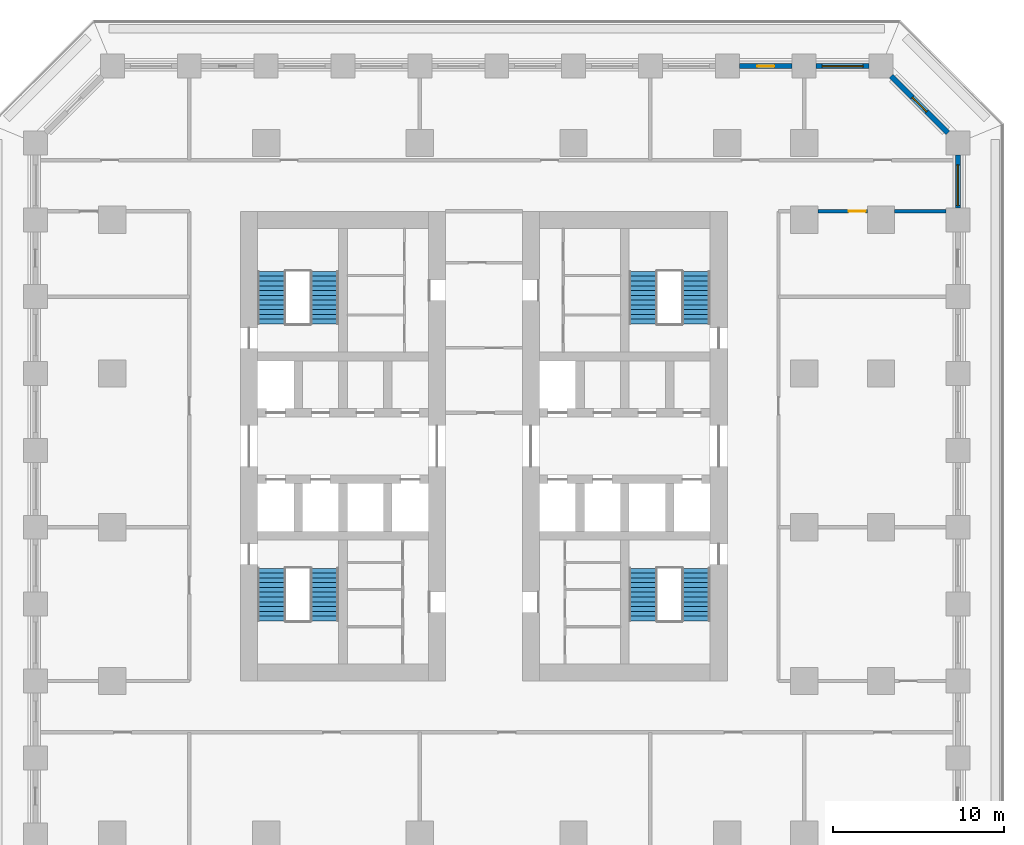
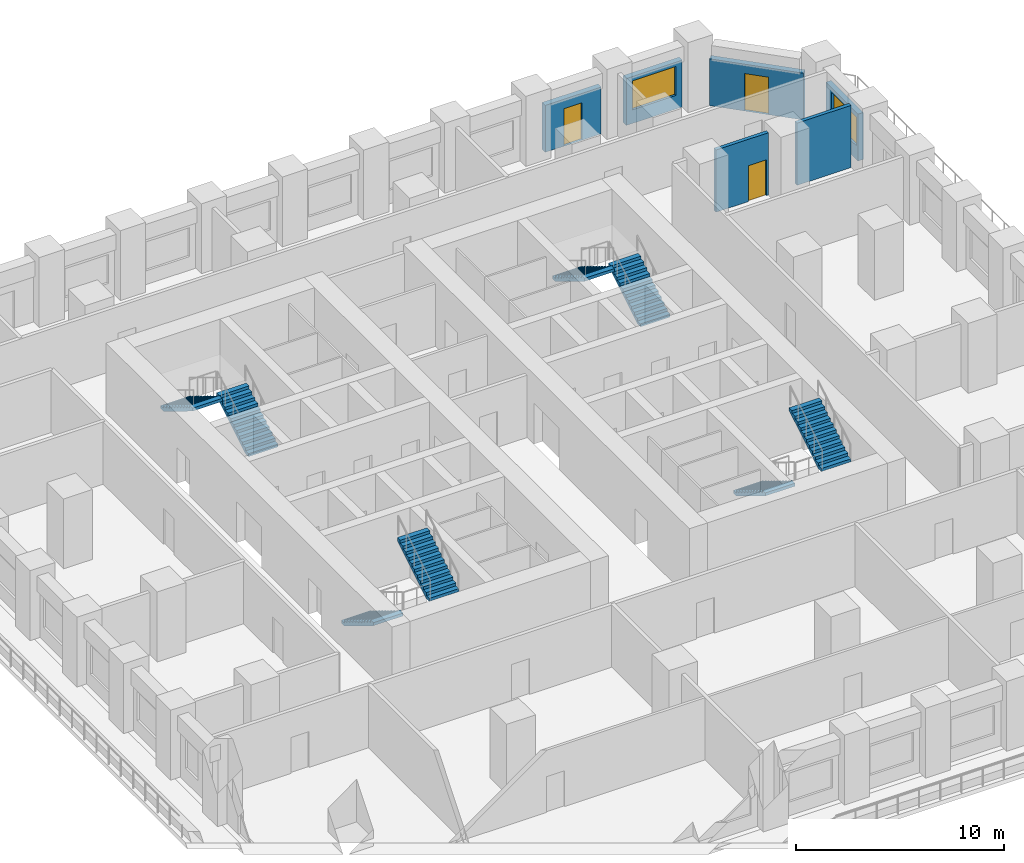
# One storey, part 8 of 11: 8 stair flights, 6 walls, 3 doors, 2 windows, 5 openings, 4 elements without a shape of their own.
"""IFC4 building model written with IfcOpenShell, lengths in metres."""

from ifc_helpers import new_model, si_unit, direction, frame, frame_2d, origin, place, context, subcontext, project, spatial, polyline, rectangle, outline, extrude, material, layer, layer_set, type_object, element, fill, aggregate, save


model = new_model("IFC4")

# Units and contexts
model_context = context("Model", 3, precision=1e-05, world=origin(), true_north=direction((0.0, 1.0)))
body_context = subcontext(model_context, "Body", "Model", "MODEL_VIEW")
ifc_project = project(units=[si_unit("LENGTHUNIT", "METRE"), si_unit("AREAUNIT", "SQUARE_METRE"), si_unit("VOLUMEUNIT", "CUBIC_METRE"), si_unit("PLANEANGLEUNIT", "RADIAN"), si_unit("MASSUNIT", "GRAM", prefix="KILO")], contexts=[model_context])

# Site, building, storey
site_placement = place(None, origin())
site = spatial("IfcSite", under=ifc_project, at=site_placement, CompositionType="ELEMENT")
building_placement = place(site_placement, origin())
building = spatial("IfcBuilding", under=site, at=building_placement, Name="Corbel Stack Research Tower", CompositionType="ELEMENT")
storey_placement = place(building_placement, frame((0.0, 0.0, 46.0)))
storey = spatial("IfcBuildingStorey", under=building, at=storey_placement, Name="L10", CompositionType="ELEMENT", Elevation=46.0)

# Wall, opening, door
ifc_material_1 = material(Name="Fire-rated gypsum board partition on steel studs", Category="steel")
ifc_layer_1 = layer(ifc_material_1, 0.199951171875)
ifc_layer_set_1 = layer_set([ifc_layer_1], Name="Fire-rated gypsum board partition on steel studs")
wall_type_1 = type_object("IfcWallType", Name="Fire-rated partition 200 EI 60", PredefinedType="PARTITIONING", material=ifc_layer_set_1)
wall_1_placement = place(storey_placement, frame((26.199951171875, 18.5, 0.0), z_axis=(0.0, 0.0, 1.0), x_axis=(-1.0, 0.0, 0.0)))
wall_1 = element("IfcWall", 1, at=wall_1_placement, inside=storey, type_object=wall_type_1, Name="Partition L10-034", PredefinedType="PARTITIONING", context=body_context, shape_type="SweptSolid", body=[
    extrude(rectangle(XDim=2.89990234375, YDim=0.199951171875, at=frame_2d((1.449951171875, 0.0))), origin(), (0.0, 0.0, 1.0), 3.64990234375),
])
opening_1_placement = place(wall_1_placement, frame((0.10009765625, 0.0, 0.0)))
opening_1 = element("IfcOpeningElement", 2, at=opening_1_placement, cuts=wall_1, Name="Opening B2V1-018", PredefinedType="OPENING", context=body_context, shape_type="SweptSolid", body=[
    extrude(rectangle(XDim=1.0, YDim=2.10009765625, at=frame_2d((0.5, 1.050048828125))), frame((0.0, 0.10986328125, 0.0), z_axis=(0.0, -1.0, 0.0), x_axis=(1.0, 0.0, 0.0)), (0.0, 0.0, 1.0), 0.219970703125),
])
ifc_material_2 = material(Name="Painted steel fire door", Category="steel")
door_type_1 = type_object("IfcDoorType", Name="Fire door FD30S 1000 x 2100", OperationType="NOTDEFINED", PredefinedType="DOOR", material=ifc_material_2)
door_1_placement = place(opening_1_placement, origin())
door_1 = element("IfcDoor", 3, at=door_1_placement, inside=storey, type_object=door_type_1, Name="Door B2V1-018", OperationType="SINGLE_SWING_LEFT", OverallHeight=2.10009765625, OverallWidth=1.0, PredefinedType="DOOR", context=body_context, shape_type="SweptSolid", body=[
    extrude(rectangle(XDim=1.0, YDim=2.10009765625, at=frame_2d((0.5, 1.050048828125))), frame((0.0, 0.02490234375, 0.0), z_axis=(0.0, -1.0, 0.0), x_axis=(1.0, 0.0, 0.0)), (0.0, 0.0, 1.0), 0.050048828125),
])
fill(opening_1, door_1)

# Wall
wall_2_placement = place(storey_placement, frame((27.800048828125, 18.5, 0.0), z_axis=(0.0, 0.0, 1.0), x_axis=(1.0, 0.0, 0.0)))
element("IfcWall", 4, at=wall_2_placement, inside=storey, type_object=wall_type_1, Name="Partition L10-035", PredefinedType="PARTITIONING", context=body_context, shape_type="SweptSolid", body=[
    extrude(rectangle(XDim=3.0, YDim=0.199951171875, at=frame_2d((1.5, 0.0))), origin(), (0.0, 0.0, 1.0), 3.64990234375),
])

# Wall, opening, window
ifc_material_3 = material(Name="Concrete C45/55", Category="concrete")
ifc_layer_2 = layer(ifc_material_3, 0.300048828125)
ifc_layer_set_2 = layer_set([ifc_layer_2], Name="Concrete C45/55")
wall_type_2 = type_object("IfcWallType", Name="Terracotta-faced concrete wall 300", PredefinedType="SOLIDWALL", material=ifc_layer_set_2)
wall_3_placement = place(storey_placement, frame((31.5, 21.800048828125, 0.0), z_axis=(0.0, 0.0, 1.0), x_axis=(0.0, -1.0, 0.0)))
wall_3 = element("IfcWall", 5, at=wall_3_placement, inside=storey, type_object=wall_type_2, Name="Facade wall L10 E10", PredefinedType="SOLIDWALL", context=body_context, shape_type="SweptSolid", body=[
    extrude(rectangle(XDim=3.10009765625, YDim=0.300048828125, at=frame_2d((1.550048828125, 0.0))), origin(), (0.0, 0.0, 1.0), 2.75),
])
opening_2_placement = place(wall_3_placement, frame((0.574951171875, 0.0, 0.800048828125)))
opening_2 = element("IfcOpeningElement", 6, at=opening_2_placement, cuts=wall_3, Name="Opening W1", PredefinedType="OPENING", context=body_context, shape_type="SweptSolid", body=[
    extrude(rectangle(XDim=2.39990234375, YDim=1.699951171875, at=frame_2d((1.199951171875, 0.85009765625))), frame((0.0, 0.159912109375, 0.0), z_axis=(0.0, -1.0, 0.0), x_axis=(1.0, 0.0, 0.0)), (0.0, 0.0, 1.0), 0.320068359375),
])
ifc_material_4 = material(Name="Aluminium frame, clear double glazing", Category="aluminium")
window_type = type_object("IfcWindowType", Name="Window W1 2400 x 1700", PartitioningType="SINGLE_PANEL", PredefinedType="WINDOW", material=ifc_material_4)
window_1_placement = place(opening_2_placement, origin())
window_1 = element("IfcWindow", 7, at=window_1_placement, inside=storey, type_object=window_type, Name="Window W1 L10 E10", OverallHeight=1.699951171875, OverallWidth=2.39990234375, PartitioningType="SINGLE_PANEL", PredefinedType="WINDOW", context=body_context, shape_type="SweptSolid", body=[
    extrude(rectangle(XDim=2.39990234375, YDim=1.699951171875, at=frame_2d((1.199951171875, 0.85009765625))), frame((0.0, 0.030029296875, 0.0), z_axis=(0.0, -1.0, 0.0), x_axis=(1.0, 0.0, 0.0)), (0.0, 0.0, 1.0), 0.06005859375),
])
fill(opening_2, window_1)

# Wall, opening, door
wall_4_placement = place(storey_placement, frame((27.593994140625, 26.406005859375, 0.0), z_axis=(0.0, 0.0, 1.0), x_axis=(0.707106781187, -0.707106781187, 0.0)))
wall_4 = element("IfcWall", 8, at=wall_4_placement, inside=storey, type_object=wall_type_2, Name="Facade wall L10 NE01", PredefinedType="SOLIDWALL", context=body_context, shape_type="SweptSolid", body=[
    extrude(rectangle(XDim=4.683837890625, YDim=0.300048828125, at=frame_2d((2.341796875, 0.0))), origin(), (0.0, 0.0, 1.0), 2.75),
])
opening_3_placement = place(wall_4_placement, frame((1.741943359375, 0.0, 0.0)))
opening_3 = element("IfcOpeningElement", 9, at=opening_3_placement, cuts=wall_4, Name="Opening L10-B06", PredefinedType="OPENING", context=body_context, shape_type="SweptSolid", body=[
    extrude(rectangle(XDim=1.199951171875, YDim=2.199951171875, at=frame_2d((0.60009765625, 1.10009765625))), frame((0.0, 0.159912109375, 0.0), z_axis=(0.0, -1.0, 0.0), x_axis=(1.0, 0.0, 0.0)), (0.0, 0.0, 1.0), 0.320068359375),
])
ifc_material_5 = material(Name="Aluminium frame, clear double glazing", Category="aluminium")
door_type_2 = type_object("IfcDoorType", Name="Balcony door BD2 1200 x 2200", OperationType="NOTDEFINED", PredefinedType="DOOR", material=ifc_material_5)
door_2_placement = place(opening_3_placement, origin())
door_2 = element("IfcDoor", 10, at=door_2_placement, inside=storey, type_object=door_type_2, Name="Balcony door L10-B06", OperationType="SINGLE_SWING_LEFT", OverallHeight=2.199951171875, OverallWidth=1.199951171875, PredefinedType="DOOR", context=body_context, shape_type="SweptSolid", body=[
    extrude(rectangle(XDim=1.199951171875, YDim=2.199951171875, at=frame_2d((0.60009765625, 1.10009765625))), frame((0.0, 0.02490234375, 0.0), z_axis=(0.0, -1.0, 0.0), x_axis=(1.0, 0.0, 0.0)), (0.0, 0.0, 1.0), 0.050048828125),
])
fill(opening_3, door_2)

# Wall, opening, window
wall_5_placement = place(storey_placement, frame((23.199951171875, 27.0, 0.0), z_axis=(0.0, 0.0, 1.0), x_axis=(1.0, 0.0, 0.0)))
wall_5 = element("IfcWall", 11, at=wall_5_placement, inside=storey, type_object=wall_type_2, Name="Facade wall L10 N01", PredefinedType="SOLIDWALL", context=body_context, shape_type="SweptSolid", body=[
    extrude(rectangle(XDim=3.10009765625, YDim=0.300048828125, at=frame_2d((1.550048828125, 0.0))), origin(), (0.0, 0.0, 1.0), 2.75),
])
opening_4_placement = place(wall_5_placement, frame((0.35009765625, 0.0, 0.800048828125)))
opening_4 = element("IfcOpeningElement", 12, at=opening_4_placement, cuts=wall_5, Name="Opening W1", PredefinedType="OPENING", context=body_context, shape_type="SweptSolid", body=[
    extrude(rectangle(XDim=2.39990234375, YDim=1.699951171875, at=frame_2d((1.199951171875, 0.85009765625))), frame((0.0, 0.159912109375, 0.0), z_axis=(0.0, -1.0, 0.0), x_axis=(1.0, 0.0, 0.0)), (0.0, 0.0, 1.0), 0.320068359375),
])
window_2_placement = place(opening_4_placement, origin())
window_2 = element("IfcWindow", 13, at=window_2_placement, inside=storey, type_object=window_type, Name="Window W1 L10 N01", OverallHeight=1.699951171875, OverallWidth=2.39990234375, PartitioningType="SINGLE_PANEL", PredefinedType="WINDOW", context=body_context, shape_type="SweptSolid", body=[
    extrude(rectangle(XDim=2.39990234375, YDim=1.699951171875, at=frame_2d((1.199951171875, 0.85009765625))), frame((0.0, 0.030029296875, 0.0), z_axis=(0.0, -1.0, 0.0), x_axis=(1.0, 0.0, 0.0)), (0.0, 0.0, 1.0), 0.06005859375),
])
fill(opening_4, window_2)

# Wall, opening, door
wall_6_placement = place(storey_placement, frame((18.699951171875, 27.0, 0.0), z_axis=(0.0, 0.0, 1.0), x_axis=(1.0, 0.0, 0.0)))
wall_6 = element("IfcWall", 14, at=wall_6_placement, inside=storey, type_object=wall_type_2, Name="Facade wall L10 N02", PredefinedType="SOLIDWALL", context=body_context, shape_type="SweptSolid", body=[
    extrude(rectangle(XDim=3.10009765625, YDim=0.300048828125, at=frame_2d((1.550048828125, 0.0))), origin(), (0.0, 0.0, 1.0), 2.75),
])
opening_5_placement = place(wall_6_placement, frame((1.050048828125, 0.0, 0.0)))
opening_5 = element("IfcOpeningElement", 15, at=opening_5_placement, cuts=wall_6, Name="Opening L10-B07", PredefinedType="OPENING", context=body_context, shape_type="SweptSolid", body=[
    extrude(rectangle(XDim=1.0, YDim=2.199951171875, at=frame_2d((0.5, 1.10009765625))), frame((0.0, 0.159912109375, 0.0), z_axis=(0.0, -1.0, 0.0), x_axis=(1.0, 0.0, 0.0)), (0.0, 0.0, 1.0), 0.320068359375),
])
ifc_material_6 = material(Name="Aluminium frame, clear double glazing", Category="aluminium")
door_type_3 = type_object("IfcDoorType", Name="Balcony door BD1 1000 x 2200", OperationType="NOTDEFINED", PredefinedType="DOOR", material=ifc_material_6)
door_3_placement = place(opening_5_placement, origin())
door_3 = element("IfcDoor", 16, at=door_3_placement, inside=storey, type_object=door_type_3, Name="Balcony door L10-B07", OperationType="SINGLE_SWING_RIGHT", OverallHeight=2.199951171875, OverallWidth=1.0, PredefinedType="DOOR", context=body_context, shape_type="SweptSolid", body=[
    extrude(rectangle(XDim=1.0, YDim=2.199951171875, at=frame_2d((0.5, 1.10009765625))), frame((0.0, 0.02490234375, 0.0), z_axis=(0.0, -1.0, 0.0), x_axis=(1.0, 0.0, 0.0)), (0.0, 0.0, 1.0), 0.050048828125),
])
fill(opening_5, door_3)

# Stair, stair flights
ifc_material_7 = material(Name="Concrete C40/50", Category="concrete")
stair_type = type_object("IfcStairType", Name="Exit stair 24 risers", PredefinedType="HALF_TURN_STAIR", material=ifc_material_7)
stair_1_placement = place(storey_placement, origin())
stair_1 = element("IfcStair", 17, at=stair_1_placement, inside=storey, type_object=stair_type, Name="L10 Exit stair ST-W1", PredefinedType="HALF_TURN_STAIR")
ifc_material_8 = material(Name="Concrete C40/50", Category="concrete")
stair_flight_type = type_object("IfcStairFlightType", Name="Stair flight 12 risers", PredefinedType="STRAIGHT", material=ifc_material_8)
stair_flight_1_placement = place(storey_placement, frame((-8.675048828125, -2.39990234375, 0.0), z_axis=(0.0, 0.0, 1.0), x_axis=(0.0, -1.0, 0.0)))
stair_flight_1 = element("IfcStairFlight", 18, at=stair_flight_1_placement, type_object=stair_flight_type, Name="ST-W1 flight 1", NumberOfRisers=12, NumberOfTreads=11, PredefinedType="STRAIGHT", RiserHeight=0.170833333, TreadLength=0.28, context=body_context, shape_type="SweptSolid", body=[
    extrude(outline(polyline([(0.0, 0.0), (0.0, 0.1708984375), (0.280029296875, 0.1708984375), (0.280029296875, 0.341552734375), (0.56005859375, 0.341552734375), (0.56005859375, 0.512451171875), (0.840087890625, 0.512451171875), (0.840087890625, 0.683349609375), (1.1201171875, 0.683349609375), (1.1201171875, 0.854248046875), (1.39990234375, 0.854248046875), (1.39990234375, 1.02490234375), (1.679931640625, 1.02490234375), (1.679931640625, 1.19580078125), (1.9599609375, 1.19580078125), (1.9599609375, 1.36669921875), (2.239990234375, 1.36669921875), (2.239990234375, 1.53759765625), (2.52001953125, 1.53759765625), (2.52001953125, 1.708251953125), (2.800048828125, 1.708251953125), (2.800048828125, 1.879150390625), (3.080078125, 1.879150390625), (3.080078125, 2.050048828125), (3.080078125, 1.70361328125), (0.287841796875, 0.0), (0.0, 0.0)])), frame((0.0, 0.824951171875, 0.0), z_axis=(0.0, -1.0, 0.0), x_axis=(1.0, 0.0, 0.0)), (0.0, 0.0, 1.0), 1.64990234375),
])
stair_flight_2_placement = place(storey_placement, frame((-5.574951171875, -5.47998046875, 2.050048828125), z_axis=(0.0, 0.0, 1.0), x_axis=(0.0, 1.0, 0.0)))
stair_flight_2 = element("IfcStairFlight", 19, at=stair_flight_2_placement, type_object=stair_flight_type, Name="ST-W1 flight 2", NumberOfRisers=12, NumberOfTreads=11, PredefinedType="STRAIGHT", RiserHeight=0.170833333, TreadLength=0.28, context=body_context, shape_type="SweptSolid", body=[
    extrude(outline(polyline([(0.0, 0.0), (0.0, 0.1708984375), (0.280029296875, 0.1708984375), (0.280029296875, 0.341552734375), (0.56005859375, 0.341552734375), (0.56005859375, 0.512451171875), (0.840087890625, 0.512451171875), (0.840087890625, 0.683349609375), (1.1201171875, 0.683349609375), (1.1201171875, 0.854248046875), (1.39990234375, 0.854248046875), (1.39990234375, 1.02490234375), (1.679931640625, 1.02490234375), (1.679931640625, 1.19580078125), (1.9599609375, 1.19580078125), (1.9599609375, 1.36669921875), (2.239990234375, 1.36669921875), (2.239990234375, 1.53759765625), (2.52001953125, 1.53759765625), (2.52001953125, 1.708251953125), (2.800048828125, 1.708251953125), (2.800048828125, 1.879150390625), (3.080078125, 1.879150390625), (3.080078125, 2.050048828125), (3.080078125, 1.70361328125), (0.287841796875, 0.0), (0.0, 0.0)])), frame((0.0, 0.824951171875, 0.0), z_axis=(0.0, -1.0, 0.0), x_axis=(1.0, 0.0, 0.0)), (0.0, 0.0, 1.0), 1.64990234375),
])
aggregate(stair_1, [stair_flight_1, stair_flight_2])

stair_2_placement = place(storey_placement, origin())
stair_2 = element("IfcStair", 20, at=stair_2_placement, inside=storey, type_object=stair_type, Name="L10 Exit stair ST-W2", PredefinedType="HALF_TURN_STAIR")
stair_flight_3_placement = place(storey_placement, frame((-5.574951171875, 11.89990234375, 0.0), z_axis=(0.0, 0.0, 1.0), x_axis=(0.0, 1.0, 0.0)))
stair_flight_3 = element("IfcStairFlight", 21, at=stair_flight_3_placement, type_object=stair_flight_type, Name="ST-W2 flight 1", NumberOfRisers=12, NumberOfTreads=11, PredefinedType="STRAIGHT", RiserHeight=0.170833333, TreadLength=0.28, context=body_context, shape_type="SweptSolid", body=[
    extrude(outline(polyline([(0.0, 0.0), (0.0, 0.1708984375), (0.280029296875, 0.1708984375), (0.280029296875, 0.341552734375), (0.56005859375, 0.341552734375), (0.56005859375, 0.512451171875), (0.840087890625, 0.512451171875), (0.840087890625, 0.683349609375), (1.1201171875, 0.683349609375), (1.1201171875, 0.854248046875), (1.39990234375, 0.854248046875), (1.39990234375, 1.02490234375), (1.679931640625, 1.02490234375), (1.679931640625, 1.19580078125), (1.9599609375, 1.19580078125), (1.9599609375, 1.36669921875), (2.239990234375, 1.36669921875), (2.239990234375, 1.53759765625), (2.52001953125, 1.53759765625), (2.52001953125, 1.708251953125), (2.800048828125, 1.708251953125), (2.800048828125, 1.879150390625), (3.080078125, 1.879150390625), (3.080078125, 2.050048828125), (3.080078125, 1.70361328125), (0.287841796875, 0.0), (0.0, 0.0)])), frame((0.0, 0.824951171875, 0.0), z_axis=(0.0, -1.0, 0.0), x_axis=(1.0, 0.0, 0.0)), (0.0, 0.0, 1.0), 1.64990234375),
])
stair_flight_4_placement = place(storey_placement, frame((-8.675048828125, 14.97998046875, 2.050048828125), z_axis=(0.0, 0.0, 1.0), x_axis=(0.0, -1.0, 0.0)))
stair_flight_4 = element("IfcStairFlight", 22, at=stair_flight_4_placement, type_object=stair_flight_type, Name="ST-W2 flight 2", NumberOfRisers=12, NumberOfTreads=11, PredefinedType="STRAIGHT", RiserHeight=0.170833333, TreadLength=0.28, context=body_context, shape_type="SweptSolid", body=[
    extrude(outline(polyline([(0.0, 0.0), (0.0, 0.1708984375), (0.280029296875, 0.1708984375), (0.280029296875, 0.341552734375), (0.56005859375, 0.341552734375), (0.56005859375, 0.512451171875), (0.840087890625, 0.512451171875), (0.840087890625, 0.683349609375), (1.1201171875, 0.683349609375), (1.1201171875, 0.854248046875), (1.39990234375, 0.854248046875), (1.39990234375, 1.02490234375), (1.679931640625, 1.02490234375), (1.679931640625, 1.19580078125), (1.9599609375, 1.19580078125), (1.9599609375, 1.36669921875), (2.239990234375, 1.36669921875), (2.239990234375, 1.53759765625), (2.52001953125, 1.53759765625), (2.52001953125, 1.708251953125), (2.800048828125, 1.708251953125), (2.800048828125, 1.879150390625), (3.080078125, 1.879150390625), (3.080078125, 2.050048828125), (3.080078125, 1.70361328125), (0.287841796875, 0.0), (0.0, 0.0)])), frame((0.0, 0.824951171875, 0.0), z_axis=(0.0, -1.0, 0.0), x_axis=(1.0, 0.0, 0.0)), (0.0, 0.0, 1.0), 1.64990234375),
])
aggregate(stair_2, [stair_flight_3, stair_flight_4])

stair_3_placement = place(storey_placement, origin())
stair_3 = element("IfcStair", 23, at=stair_3_placement, inside=storey, type_object=stair_type, Name="L10 Exit stair ST-E1", PredefinedType="HALF_TURN_STAIR")
stair_flight_5_placement = place(storey_placement, frame((13.074951171875, -2.39990234375, 0.0), z_axis=(0.0, 0.0, 1.0), x_axis=(0.0, -1.0, 0.0)))
stair_flight_5 = element("IfcStairFlight", 24, at=stair_flight_5_placement, type_object=stair_flight_type, Name="ST-E1 flight 1", NumberOfRisers=12, NumberOfTreads=11, PredefinedType="STRAIGHT", RiserHeight=0.170833333, TreadLength=0.28, context=body_context, shape_type="SweptSolid", body=[
    extrude(outline(polyline([(0.0, 0.0), (0.0, 0.1708984375), (0.280029296875, 0.1708984375), (0.280029296875, 0.341552734375), (0.56005859375, 0.341552734375), (0.56005859375, 0.512451171875), (0.840087890625, 0.512451171875), (0.840087890625, 0.683349609375), (1.1201171875, 0.683349609375), (1.1201171875, 0.854248046875), (1.39990234375, 0.854248046875), (1.39990234375, 1.02490234375), (1.679931640625, 1.02490234375), (1.679931640625, 1.19580078125), (1.9599609375, 1.19580078125), (1.9599609375, 1.36669921875), (2.239990234375, 1.36669921875), (2.239990234375, 1.53759765625), (2.52001953125, 1.53759765625), (2.52001953125, 1.708251953125), (2.800048828125, 1.708251953125), (2.800048828125, 1.879150390625), (3.080078125, 1.879150390625), (3.080078125, 2.050048828125), (3.080078125, 1.70361328125), (0.287841796875, 0.0), (0.0, 0.0)])), frame((0.0, 0.824951171875, 0.0), z_axis=(0.0, -1.0, 0.0), x_axis=(1.0, 0.0, 0.0)), (0.0, 0.0, 1.0), 1.64990234375),
])
stair_flight_6_placement = place(storey_placement, frame((16.175048828125, -5.47998046875, 2.050048828125), z_axis=(0.0, 0.0, 1.0), x_axis=(0.0, 1.0, 0.0)))
stair_flight_6 = element("IfcStairFlight", 25, at=stair_flight_6_placement, type_object=stair_flight_type, Name="ST-E1 flight 2", NumberOfRisers=12, NumberOfTreads=11, PredefinedType="STRAIGHT", RiserHeight=0.170833333, TreadLength=0.28, context=body_context, shape_type="SweptSolid", body=[
    extrude(outline(polyline([(0.0, 0.0), (0.0, 0.1708984375), (0.280029296875, 0.1708984375), (0.280029296875, 0.341552734375), (0.56005859375, 0.341552734375), (0.56005859375, 0.512451171875), (0.840087890625, 0.512451171875), (0.840087890625, 0.683349609375), (1.1201171875, 0.683349609375), (1.1201171875, 0.854248046875), (1.39990234375, 0.854248046875), (1.39990234375, 1.02490234375), (1.679931640625, 1.02490234375), (1.679931640625, 1.19580078125), (1.9599609375, 1.19580078125), (1.9599609375, 1.36669921875), (2.239990234375, 1.36669921875), (2.239990234375, 1.53759765625), (2.52001953125, 1.53759765625), (2.52001953125, 1.708251953125), (2.800048828125, 1.708251953125), (2.800048828125, 1.879150390625), (3.080078125, 1.879150390625), (3.080078125, 2.050048828125), (3.080078125, 1.70361328125), (0.287841796875, 0.0), (0.0, 0.0)])), frame((0.0, 0.824951171875, 0.0), z_axis=(0.0, -1.0, 0.0), x_axis=(1.0, 0.0, 0.0)), (0.0, 0.0, 1.0), 1.64990234375),
])
aggregate(stair_3, [stair_flight_5, stair_flight_6])

stair_4_placement = place(storey_placement, origin())
stair_4 = element("IfcStair", 26, at=stair_4_placement, inside=storey, type_object=stair_type, Name="L10 Exit stair ST-E2", PredefinedType="HALF_TURN_STAIR")
stair_flight_7_placement = place(storey_placement, frame((16.175048828125, 11.89990234375, 0.0), z_axis=(0.0, 0.0, 1.0), x_axis=(0.0, 1.0, 0.0)))
stair_flight_7 = element("IfcStairFlight", 27, at=stair_flight_7_placement, type_object=stair_flight_type, Name="ST-E2 flight 1", NumberOfRisers=12, NumberOfTreads=11, PredefinedType="STRAIGHT", RiserHeight=0.170833333, TreadLength=0.28, context=body_context, shape_type="SweptSolid", body=[
    extrude(outline(polyline([(0.0, 0.0), (0.0, 0.1708984375), (0.280029296875, 0.1708984375), (0.280029296875, 0.341552734375), (0.56005859375, 0.341552734375), (0.56005859375, 0.512451171875), (0.840087890625, 0.512451171875), (0.840087890625, 0.683349609375), (1.1201171875, 0.683349609375), (1.1201171875, 0.854248046875), (1.39990234375, 0.854248046875), (1.39990234375, 1.02490234375), (1.679931640625, 1.02490234375), (1.679931640625, 1.19580078125), (1.9599609375, 1.19580078125), (1.9599609375, 1.36669921875), (2.239990234375, 1.36669921875), (2.239990234375, 1.53759765625), (2.52001953125, 1.53759765625), (2.52001953125, 1.708251953125), (2.800048828125, 1.708251953125), (2.800048828125, 1.879150390625), (3.080078125, 1.879150390625), (3.080078125, 2.050048828125), (3.080078125, 1.70361328125), (0.287841796875, 0.0), (0.0, 0.0)])), frame((0.0, 0.824951171875, 0.0), z_axis=(0.0, -1.0, 0.0), x_axis=(1.0, 0.0, 0.0)), (0.0, 0.0, 1.0), 1.64990234375),
])
stair_flight_8_placement = place(storey_placement, frame((13.074951171875, 14.97998046875, 2.050048828125), z_axis=(0.0, 0.0, 1.0), x_axis=(0.0, -1.0, 0.0)))
stair_flight_8 = element("IfcStairFlight", 28, at=stair_flight_8_placement, type_object=stair_flight_type, Name="ST-E2 flight 2", NumberOfRisers=12, NumberOfTreads=11, PredefinedType="STRAIGHT", RiserHeight=0.170833333, TreadLength=0.28, context=body_context, shape_type="SweptSolid", body=[
    extrude(outline(polyline([(0.0, 0.0), (0.0, 0.1708984375), (0.280029296875, 0.1708984375), (0.280029296875, 0.341552734375), (0.56005859375, 0.341552734375), (0.56005859375, 0.512451171875), (0.840087890625, 0.512451171875), (0.840087890625, 0.683349609375), (1.1201171875, 0.683349609375), (1.1201171875, 0.854248046875), (1.39990234375, 0.854248046875), (1.39990234375, 1.02490234375), (1.679931640625, 1.02490234375), (1.679931640625, 1.19580078125), (1.9599609375, 1.19580078125), (1.9599609375, 1.36669921875), (2.239990234375, 1.36669921875), (2.239990234375, 1.53759765625), (2.52001953125, 1.53759765625), (2.52001953125, 1.708251953125), (2.800048828125, 1.708251953125), (2.800048828125, 1.879150390625), (3.080078125, 1.879150390625), (3.080078125, 2.050048828125), (3.080078125, 1.70361328125), (0.287841796875, 0.0), (0.0, 0.0)])), frame((0.0, 0.824951171875, 0.0), z_axis=(0.0, -1.0, 0.0), x_axis=(1.0, 0.0, 0.0)), (0.0, 0.0, 1.0), 1.64990234375),
])
aggregate(stair_4, [stair_flight_7, stair_flight_8])

save(model, "model.ifc")
